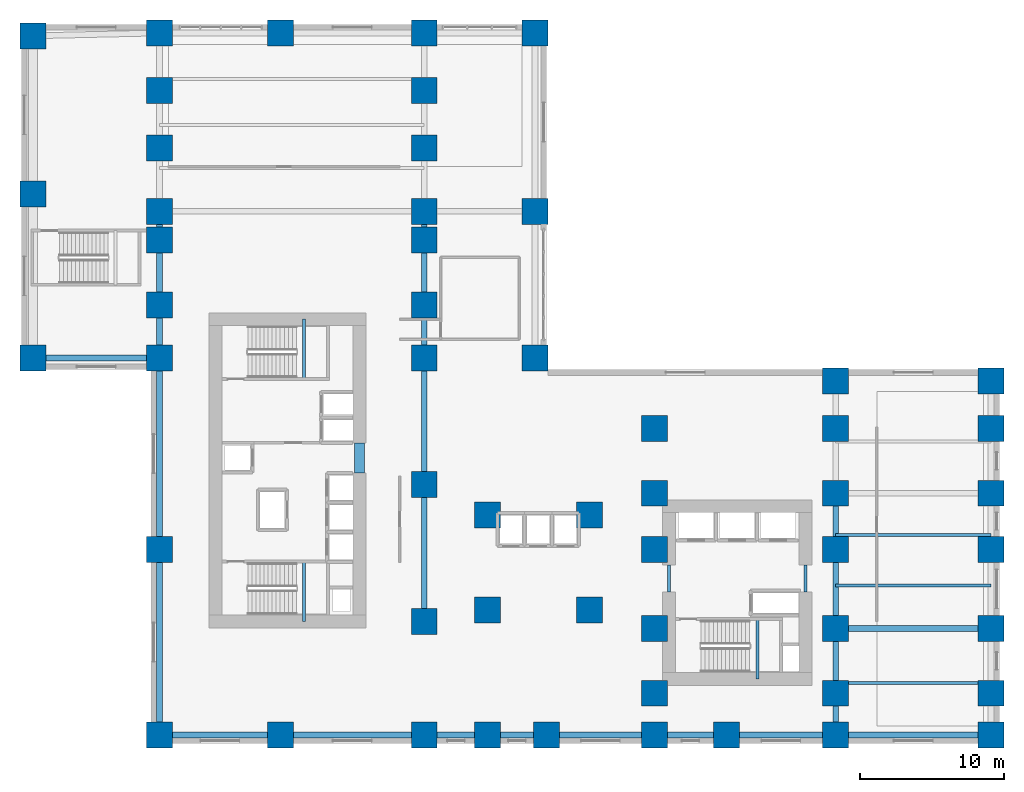
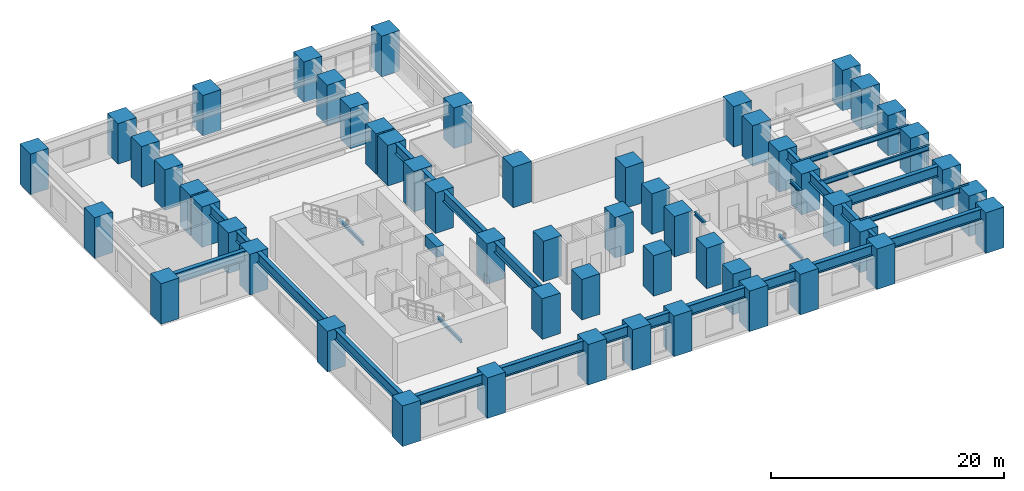
# One storey, part 1 of 13: 54 columns, 26 beams.
"""IFC4 building model written with IfcOpenShell, lengths in metres."""

from ifc_helpers import new_model, si_unit, direction, frame, origin, origin_2d, place, context, subcontext, project, spatial, rectangle, i_section, extrude, source, transform, mapped, material, material_profile, profile_set, type_object, element, save


model = new_model("IFC4")

# Units and contexts
model_context = context("Model", 3, precision=1e-05, world=origin(), true_north=direction((0.0, 1.0)))
body_context = subcontext(model_context, "Body", "Model", "MODEL_VIEW")
ifc_project = project(units=[si_unit("LENGTHUNIT", "METRE"), si_unit("AREAUNIT", "SQUARE_METRE"), si_unit("VOLUMEUNIT", "CUBIC_METRE"), si_unit("PLANEANGLEUNIT", "RADIAN"), si_unit("MASSUNIT", "GRAM", prefix="KILO")], contexts=[model_context])

# Site, building, storey
site_placement = place(None, origin())
site = spatial("IfcSite", under=ifc_project, at=site_placement, CompositionType="ELEMENT")
building_placement = place(site_placement, origin())
building = spatial("IfcBuilding", under=site, at=building_placement, Name="Kharzan Plaza Tower", CompositionType="ELEMENT")
storey_placement = place(building_placement, frame((0.0, 0.0, 4.5)))
storey = spatial("IfcBuildingStorey", under=building, at=storey_placement, Name="L01", CompositionType="ELEMENT", Elevation=4.5)

# Columns
ifc_material_1 = material(Name="Concrete C60/75", Category="concrete")
ifc_material_profile_1 = material_profile(ifc_material_1, rectangle(XDim=1.800048828125, YDim=1.800048828125, at=origin_2d()), Name="RC-MC1800x1800")
ifc_profile_set_1 = profile_set([ifc_material_profile_1], Name="Concrete C60/75")
column_type = type_object("IfcColumnType", Name="COL-MC1800", PredefinedType="COLUMN", material=ifc_profile_set_1)
shared_shape_1 = source(origin(), body_context, "Body", "SweptSolid", [
    extrude(rectangle(XDim=1.800048828125, YDim=1.800048828125, at=origin_2d()), origin(), (0.0, 0.0, 1.0), 4.25),
])
for number, where, z_axis, x_axis, name in (
    (1, (-8.199951171875, 26.800048828125, 0.0), (0.0, 0.0, 1.0), (1.0, 0.0, 0.0), "L01 Podium Mega-Column MC01"),
    (2, (-8.199951171875, 38.199951171875, 0.0), (0.0, 0.0, 1.0), (1.0, 0.0, 0.0), "L01 Podium Mega-Column MC02"),
    (3, (-8.199951171875, 49.199951171875, 0.0), (0.0, 0.0, 1.0), (1.0, 0.0, 0.0), "L01 Podium Mega-Column MC03"),
    (4, (0.60009765625, 0.60009765625, 0.0), (0.0, 0.0, 1.0), (1.0, 0.0, 0.0), "L01 Podium Mega-Column MC04"),
    (5, (0.60009765625, 13.5, 0.0), (0.0, 0.0, 1.0), (1.0, 0.0, 0.0), "L01 Podium Mega-Column MC05"),
    (6, (0.60009765625, 26.800048828125, 0.0), (0.0, 0.0, 1.0), (1.0, 0.0, 0.0), "L01 Podium Mega-Column MC06"),
    (7, (0.60009765625, 30.5, 0.0), (0.0, 0.0, 1.0), (1.0, 0.0, 0.0), "L01 Podium Mega-Column MC07"),
    (8, (0.60009765625, 35.0, 0.0), (0.0, 0.0, 1.0), (1.0, 0.0, 0.0), "L01 Podium Mega-Column MC08"),
    (9, (0.60009765625, 37.0, 0.0), (0.0, 0.0, 1.0), (1.0, 0.0, 0.0), "L01 Podium Mega-Column MC09"),
    (10, (0.60009765625, 41.39990234375, 0.0), (0.0, 0.0, 1.0), (1.0, 0.0, 0.0), "L01 Podium Mega-Column MC10"),
    (11, (0.60009765625, 45.39990234375, 0.0), (0.0, 0.0, 1.0), (1.0, 0.0, 0.0), "L01 Podium Mega-Column MC11"),
    (12, (0.60009765625, 49.39990234375, 0.0), (0.0, 0.0, 1.0), (1.0, 0.0, 0.0), "L01 Podium Mega-Column MC12"),
    (13, (9.0, 0.60009765625, 0.0), (0.0, 0.0, 1.0), (1.0, 0.0, 0.0), "L01 Podium Mega-Column MC13"),
    (14, (19.0, 0.60009765625, 0.0), (0.0, 0.0, 1.0), (1.0, 0.0, 0.0), "L01 Podium Mega-Column MC14"),
    (15, (27.5, 0.60009765625, 0.0), (0.0, 0.0, 1.0), (1.0, 0.0, 0.0), "L01 Podium Mega-Column MC15"),
    (16, (35.0, 0.60009765625, 0.0), (0.0, 0.0, 1.0), (1.0, 0.0, 0.0), "L01 Podium Mega-Column MC16"),
    (17, (40.0, 0.60009765625, 0.0), (0.0, 0.0, 1.0), (1.0, 0.0, 0.0), "L01 Podium Mega-Column MC17"),
    (18, (47.60009765625, 0.60009765625, 0.0), (0.0, 0.0, 1.0), (1.0, 0.0, 0.0), "L01 Podium Mega-Column MC18"),
    (19, (58.39990234375, 0.60009765625, 0.0), (0.0, 0.0, 1.0), (1.0, 0.0, 0.0), "L01 Podium Mega-Column MC19"),
    (20, (9.0, 49.39990234375, 0.0), (0.0, 0.0, 1.0), (1.0, 0.0, 0.0), "L01 Podium Mega-Column MC20"),
    (21, (19.0, 49.39990234375, 0.0), (0.0, 0.0, 1.0), (1.0, 0.0, 0.0), "L01 Podium Mega-Column MC21"),
    (22, (26.699951171875, 49.39990234375, 0.0), (0.0, 0.0, 1.0), (1.0, 0.0, 0.0), "L01 Podium Mega-Column MC22"),
    (23, (26.699951171875, 26.800048828125, 0.0), (0.0, 0.0, 1.0), (1.0, 0.0, 0.0), "L01 Podium Mega-Column MC23"),
    (24, (26.699951171875, 37.0, 0.0), (0.0, 0.0, 1.0), (1.0, 0.0, 0.0), "L01 Podium Mega-Column MC24"),
    (25, (58.39990234375, 3.5, 0.0), (0.0, 0.0, 1.0), (1.0, 0.0, 0.0), "L01 Podium Mega-Column MC25"),
    (26, (58.39990234375, 8.0, 0.0), (0.0, 0.0, 1.0), (1.0, 0.0, 0.0), "L01 Podium Mega-Column MC26"),
    (27, (58.39990234375, 13.5, 0.0), (0.0, 0.0, 1.0), (1.0, 0.0, 0.0), "L01 Podium Mega-Column MC27"),
    (28, (58.39990234375, 17.39990234375, 0.0), (0.0, 0.0, 1.0), (1.0, 0.0, 0.0), "L01 Podium Mega-Column MC28"),
    (29, (58.39990234375, 21.89990234375, 0.0), (0.0, 0.0, 1.0), (1.0, 0.0, 0.0), "L01 Podium Mega-Column MC29"),
    (30, (58.39990234375, 25.199951171875, 0.0), (0.0, 0.0, 1.0), (1.0, 0.0, 0.0), "L01 Podium Mega-Column MC30"),
    (31, (47.60009765625, 3.5, 0.0), (0.0, 0.0, 1.0), (1.0, 0.0, 0.0), "L01 Podium Mega-Column MC31"),
    (32, (47.60009765625, 8.0, 0.0), (0.0, 0.0, 1.0), (1.0, 0.0, 0.0), "L01 Podium Mega-Column MC32"),
    (33, (47.60009765625, 13.5, 0.0), (0.0, 0.0, 1.0), (1.0, 0.0, 0.0), "L01 Podium Mega-Column MC33"),
    (34, (47.60009765625, 17.39990234375, 0.0), (0.0, 0.0, 1.0), (1.0, 0.0, 0.0), "L01 Podium Mega-Column MC34"),
    (35, (47.60009765625, 21.89990234375, 0.0), (0.0, 0.0, 1.0), (1.0, 0.0, 0.0), "L01 Podium Mega-Column MC35"),
    (36, (47.60009765625, 25.199951171875, 0.0), (0.0, 0.0, 1.0), (1.0, 0.0, 0.0), "L01 Podium Mega-Column MC36"),
    (37, (19.0, 8.5, 0.0), (0.0, 0.0, 1.0), (1.0, 0.0, 0.0), "L01 Podium Mega-Column MC37"),
    (38, (19.0, 18.0, 0.0), (0.0, 0.0, 1.0), (1.0, 0.0, 0.0), "L01 Podium Mega-Column MC38"),
    (39, (19.0, 26.800048828125, 0.0), (0.0, 0.0, 1.0), (1.0, 0.0, 0.0), "L01 Podium Mega-Column MC39"),
    (40, (19.0, 30.5, 0.0), (0.0, 0.0, 1.0), (1.0, 0.0, 0.0), "L01 Podium Mega-Column MC40"),
    (41, (19.0, 35.0, 0.0), (0.0, 0.0, 1.0), (1.0, 0.0, 0.0), "L01 Podium Mega-Column MC41"),
    (42, (19.0, 37.0, 0.0), (0.0, 0.0, 1.0), (1.0, 0.0, 0.0), "L01 Podium Mega-Column MC42"),
    (43, (19.0, 41.39990234375, 0.0), (0.0, 0.0, 1.0), (1.0, 0.0, 0.0), "L01 Podium Mega-Column MC43"),
    (44, (19.0, 45.39990234375, 0.0), (0.0, 0.0, 1.0), (1.0, 0.0, 0.0), "L01 Podium Mega-Column MC44"),
    (45, (35.0, 3.5, 0.0), (0.0, 0.0, 1.0), (1.0, 0.0, 0.0), "L01 Podium Mega-Column MC45"),
    (46, (35.0, 8.0, 0.0), (0.0, 0.0, 1.0), (1.0, 0.0, 0.0), "L01 Podium Mega-Column MC46"),
    (47, (35.0, 13.5, 0.0), (0.0, 0.0, 1.0), (1.0, 0.0, 0.0), "L01 Podium Mega-Column MC47"),
    (48, (35.0, 17.39990234375, 0.0), (0.0, 0.0, 1.0), (1.0, 0.0, 0.0), "L01 Podium Mega-Column MC48"),
    (49, (35.0, 21.89990234375, 0.0), (0.0, 0.0, 1.0), (1.0, 0.0, 0.0), "L01 Podium Mega-Column MC49"),
    (50, (23.39990234375, 0.60009765625, 0.0), (0.0, 0.0, 1.0), (1.0, 0.0, 0.0), "L01 Podium Mega-Column MC50"),
    (51, (23.39990234375, 9.300048828125, 0.0), (0.0, 0.0, 1.0), (1.0, 0.0, 0.0), "L01 Podium Mega-Column MC51"),
    (52, (30.5, 9.300048828125, 0.0), (0.0, 0.0, 1.0), (1.0, 0.0, 0.0), "L01 Podium Mega-Column MC52"),
    (53, (23.39990234375, 15.89990234375, 0.0), (0.0, 0.0, 1.0), (1.0, 0.0, 0.0), "L01 Podium Mega-Column MC53"),
    (54, (30.5, 15.89990234375, 0.0), (0.0, 0.0, 1.0), (1.0, 0.0, 0.0), "L01 Podium Mega-Column MC54"),
):
    element("IfcColumn", number, at=place(storey_placement, frame(where, z_axis=z_axis, x_axis=x_axis)), inside=storey, type_object=column_type, Name=name, PredefinedType="COLUMN", context=body_context, shape_type="MappedRepresentation", body=[
        mapped(shared_shape_1, transform((0.0, 0.0, 0.0), x_axis=(1.0, 0.0, 0.0), y_axis=(0.0, 1.0, 0.0), z_axis=(0.0, 0.0, 1.0))),
    ])

# Beams
ifc_material_profile_2 = material_profile(ifc_material_1, rectangle(XDim=0.699951171875, YDim=1.10009765625, at=origin_2d()), Name="RC-CB1100x700")
ifc_profile_set_2 = profile_set([ifc_material_profile_2], Name="Concrete C60/75")
beam_type_1 = type_object("IfcBeamType", Name="BM-RCCB1100", PredefinedType="LINTEL", material=ifc_profile_set_2)
shared_shape_2 = source(origin(), body_context, "Body", "SweptSolid", [
    extrude(rectangle(XDim=0.699951171875, YDim=1.10009765625, at=origin_2d()), origin(), (0.0, 0.0, 1.0), 2.059814453125),
])
beam_1_placement = place(storey_placement, frame((14.5, 18.820068359375, 3.699951171875), z_axis=(0.0, 1.0, 0.0), x_axis=(-1.0, 0.0, 0.0)))
element("IfcBeam", 55, at=beam_1_placement, inside=storey, type_object=beam_type_1, Name="L01 CORE-A RC coupling beam CB1", PredefinedType="LINTEL", context=body_context, shape_type="MappedRepresentation", body=[
    mapped(shared_shape_2, transform((0.0, 0.0, 0.0), x_axis=(1.0, 0.0, 0.0), y_axis=(0.0, 1.0, 0.0), z_axis=(0.0, 0.0, 1.0))),
])
ifc_material_2 = material(Name="Steel S355", Category="steel")
ifc_material_profile_3 = material_profile(ifc_material_2, i_section(OverallWidth=0.205078125, OverallDepth=0.35400390625, WebThickness=0.009521484375, FlangeThickness=0.016845703125, at=origin_2d()), Name="W360x79")
ifc_profile_set_3 = profile_set([ifc_material_profile_3], Name="Steel S355")
beam_type_2 = type_object("IfcBeamType", Name="BM-LNT360", PredefinedType="LINTEL", material=ifc_profile_set_3)
shared_shape_3 = source(origin(), body_context, "Body", "SweptSolid", [
    extrude(i_section(OverallWidth=0.205078125, OverallDepth=0.35400390625, WebThickness=0.009521484375, FlangeThickness=0.016845703125, at=origin_2d()), origin(), (0.0, 0.0, 1.0), 1.849853515625),
])
for number, where, z_axis, x_axis, name in (
    (56, (45.5, 10.550048828125, 4.072998046875), (0.0, 1.0, 0.0), (-1.0, 0.0, 0.0), "L01 CORE-B coupling lintel LN1-WE"),
    (57, (36.0, 10.550048828125, 4.072998046875), (0.0, 1.0, 0.0), (-1.0, 0.0, 0.0), "L01 CORE-B coupling lintel LN1-WW"),
):
    element("IfcBeam", number, at=place(storey_placement, frame(where, z_axis=z_axis, x_axis=x_axis)), inside=storey, type_object=beam_type_2, Name=name, PredefinedType="LINTEL", context=body_context, shape_type="MappedRepresentation", body=[
        mapped(shared_shape_3, transform((0.0, 0.0, 0.0), x_axis=(1.0, 0.0, 0.0), y_axis=(0.0, 1.0, 0.0), z_axis=(0.0, 0.0, 1.0))),
    ])
shared_shape_4 = source(origin(), body_context, "Body", "SweptSolid", [
    extrude(i_section(OverallWidth=0.205078125, OverallDepth=0.35400390625, WebThickness=0.009521484375, FlangeThickness=0.016845703125, at=origin_2d()), origin(), (0.0, 0.0, 1.0), 4.155029296875),
])
for number, where, z_axis, x_axis, name in (
    (58, (10.64990234375, 8.5, 1.873046875), (0.0, 1.0, 0.0), (-1.0, 0.0, 0.0), "L01 Stair ST-1 Half-Landing Beam"),
    (59, (10.64990234375, 25.344970703125, 1.873046875), (0.0, 1.0, 0.0), (-1.0, 0.0, 0.0), "L01 Stair ST-2 Half-Landing Beam"),
    (60, (42.14990234375, 4.5, 1.873046875), (0.0, 1.0, 0.0), (-1.0, 0.0, 0.0), "L01 Stair ST-3 Half-Landing Beam"),
):
    element("IfcBeam", number, at=place(storey_placement, frame(where, z_axis=z_axis, x_axis=x_axis)), inside=storey, type_object=beam_type_2, Name=name, PredefinedType="LINTEL", context=body_context, shape_type="MappedRepresentation", body=[
        mapped(shared_shape_4, transform((0.0, 0.0, 0.0), x_axis=(1.0, 0.0, 0.0), y_axis=(0.0, 1.0, 0.0), z_axis=(0.0, 0.0, 1.0))),
    ])
ifc_material_profile_4 = material_profile(ifc_material_2, i_section(OverallWidth=0.214111328125, OverallDepth=0.549072265625, WebThickness=0.0146484375, FlangeThickness=0.023681640625, at=origin_2d()), Name="W530x138")
ifc_profile_set_4 = profile_set([ifc_material_profile_4], Name="Steel S355")
beam_type_3 = type_object("IfcBeamType", Name="BM-JST530A", PredefinedType="JOIST", material=ifc_profile_set_4)
shared_shape_5 = source(origin(), body_context, "Body", "SweptSolid", [
    extrude(i_section(OverallWidth=0.214111328125, OverallDepth=0.549072265625, WebThickness=0.0146484375, FlangeThickness=0.023681640625, at=origin_2d()), origin(), (0.0, 0.0, 1.0), 10.7998046875),
])
for number, where, z_axis, x_axis, name in (
    (61, (47.60009765625, 4.199951171875, 3.9755859375), (1.0, 0.0, 0.0), (0.0, 1.0, 0.0), "L01 East Podium Joist PJ-B1"),
    (62, (47.60009765625, 11.0, 3.9755859375), (1.0, 0.0, 0.0), (0.0, 1.0, 0.0), "L01 East Podium Joist PJ-B2"),
    (63, (47.60009765625, 14.5, 3.9755859375), (1.0, 0.0, 0.0), (0.0, 1.0, 0.0), "L01 East Podium Joist PJ-B3"),
):
    element("IfcBeam", number, at=place(storey_placement, frame(where, z_axis=z_axis, x_axis=x_axis)), inside=storey, type_object=beam_type_3, Name=name, PredefinedType="JOIST", context=body_context, shape_type="MappedRepresentation", body=[
        mapped(shared_shape_5, transform((0.0, 0.0, 0.0), x_axis=(1.0, 0.0, 0.0), y_axis=(0.0, 1.0, 0.0), z_axis=(0.0, 0.0, 1.0))),
    ])
ifc_material_profile_5 = material_profile(ifc_material_2, i_section(OverallWidth=0.39990234375, OverallDepth=1.10009765625, WebThickness=0.02001953125, FlangeThickness=0.035888671875, at=origin_2d()), Name="W1100x390")
ifc_profile_set_5 = profile_set([ifc_material_profile_5], Name="Steel S355")
beam_type_4 = type_object("IfcBeamType", Name="BM-PG1100B", PredefinedType="BEAM", material=ifc_profile_set_5)
shared_shape_6 = source(origin(), body_context, "Body", "SweptSolid", [
    extrude(i_section(OverallWidth=0.39990234375, OverallDepth=1.10009765625, WebThickness=0.02001953125, FlangeThickness=0.035888671875, at=origin_2d()), origin(), (0.0, 0.0, 1.0), 10.0),
])
beam_2_placement = place(storey_placement, frame((9.0, 0.60009765625, 3.699951171875), z_axis=(1.0, 0.0, 0.0), x_axis=(0.0, 1.0, 0.0)))
element("IfcBeam", 64, at=beam_2_placement, inside=storey, type_object=beam_type_4, Name="L01 Podium Primary Girder PG-3", PredefinedType="BEAM", context=body_context, shape_type="MappedRepresentation", body=[
    mapped(shared_shape_6, transform((0.0, 0.0, 0.0), x_axis=(1.0, 0.0, 0.0), y_axis=(0.0, 1.0, 0.0), z_axis=(0.0, 0.0, 1.0))),
])
shared_shape_7 = source(origin(), body_context, "Body", "SweptSolid", [
    extrude(i_section(OverallWidth=0.39990234375, OverallDepth=1.10009765625, WebThickness=0.02001953125, FlangeThickness=0.035888671875, at=origin_2d()), origin(), (0.0, 0.0, 1.0), 12.89990234375),
])
beam_3_placement = place(storey_placement, frame((0.60009765625, 0.60009765625, 3.699951171875), z_axis=(0.0, 1.0, 0.0), x_axis=(-1.0, 0.0, 0.0)))
element("IfcBeam", 65, at=beam_3_placement, inside=storey, type_object=beam_type_4, Name="L01 Podium Primary Girder PG-14", PredefinedType="BEAM", context=body_context, shape_type="MappedRepresentation", body=[
    mapped(shared_shape_7, transform((0.0, 0.0, 0.0), x_axis=(1.0, 0.0, 0.0), y_axis=(0.0, 1.0, 0.0), z_axis=(0.0, 0.0, 1.0))),
])
shared_shape_8 = source(origin(), body_context, "Body", "SweptSolid", [
    extrude(i_section(OverallWidth=0.39990234375, OverallDepth=1.10009765625, WebThickness=0.02001953125, FlangeThickness=0.035888671875, at=origin_2d()), origin(), (0.0, 0.0, 1.0), 13.300048828125),
])
beam_4_placement = place(storey_placement, frame((0.60009765625, 13.5, 3.699951171875), z_axis=(0.0, 1.0, 0.0), x_axis=(-1.0, 0.0, 0.0)))
element("IfcBeam", 66, at=beam_4_placement, inside=storey, type_object=beam_type_4, Name="L01 Podium Primary Girder PG-15", PredefinedType="BEAM", context=body_context, shape_type="MappedRepresentation", body=[
    mapped(shared_shape_8, transform((0.0, 0.0, 0.0), x_axis=(1.0, 0.0, 0.0), y_axis=(0.0, 1.0, 0.0), z_axis=(0.0, 0.0, 1.0))),
])
shared_shape_9 = source(origin(), body_context, "Body", "SweptSolid", [
    extrude(i_section(OverallWidth=0.39990234375, OverallDepth=1.10009765625, WebThickness=0.02001953125, FlangeThickness=0.035888671875, at=origin_2d()), origin(), (0.0, 0.0, 1.0), 10.199951171875),
])
for number, where, z_axis, x_axis, name in (
    (67, (0.60009765625, 26.800048828125, 3.699951171875), (0.0, 1.0, 0.0), (-1.0, 0.0, 0.0), "L01 Podium Primary Girder PG-16"),
    (68, (19.0, 26.800048828125, 3.699951171875), (0.0, 1.0, 0.0), (-1.0, 0.0, 0.0), "L01 Podium Primary Girder PG-20"),
):
    element("IfcBeam", number, at=place(storey_placement, frame(where, z_axis=z_axis, x_axis=x_axis)), inside=storey, type_object=beam_type_4, Name=name, PredefinedType="BEAM", context=body_context, shape_type="MappedRepresentation", body=[
        mapped(shared_shape_9, transform((0.0, 0.0, 0.0), x_axis=(1.0, 0.0, 0.0), y_axis=(0.0, 1.0, 0.0), z_axis=(0.0, 0.0, 1.0))),
    ])
shared_shape_10 = source(origin(), body_context, "Body", "SweptSolid", [
    extrude(i_section(OverallWidth=0.39990234375, OverallDepth=1.10009765625, WebThickness=0.02001953125, FlangeThickness=0.035888671875, at=origin_2d()), origin(), (0.0, 0.0, 1.0), 9.5),
])
beam_5_placement = place(storey_placement, frame((19.0, 8.5, 3.699951171875), z_axis=(0.0, 1.0, 0.0), x_axis=(-1.0, 0.0, 0.0)))
element("IfcBeam", 69, at=beam_5_placement, inside=storey, type_object=beam_type_4, Name="L01 Podium Primary Girder PG-18", PredefinedType="BEAM", context=body_context, shape_type="MappedRepresentation", body=[
    mapped(shared_shape_10, transform((0.0, 0.0, 0.0), x_axis=(1.0, 0.0, 0.0), y_axis=(0.0, 1.0, 0.0), z_axis=(0.0, 0.0, 1.0))),
])
shared_shape_11 = source(origin(), body_context, "Body", "SweptSolid", [
    extrude(i_section(OverallWidth=0.39990234375, OverallDepth=1.10009765625, WebThickness=0.02001953125, FlangeThickness=0.035888671875, at=origin_2d()), origin(), (0.0, 0.0, 1.0), 8.800048828125),
])
for number, where, z_axis, x_axis, name in (
    (70, (19.0, 18.0, 3.699951171875), (0.0, 1.0, 0.0), (-1.0, 0.0, 0.0), "L01 Podium Primary Girder PG-19"),
    (71, (-8.199951171875, 26.800048828125, 3.699951171875), (1.0, 0.0, 0.0), (0.0, 1.0, 0.0), "L01 Podium Primary Girder PG-8S"),
):
    element("IfcBeam", number, at=place(storey_placement, frame(where, z_axis=z_axis, x_axis=x_axis)), inside=storey, type_object=beam_type_4, Name=name, PredefinedType="BEAM", context=body_context, shape_type="MappedRepresentation", body=[
        mapped(shared_shape_11, transform((0.0, 0.0, 0.0), x_axis=(1.0, 0.0, 0.0), y_axis=(0.0, 1.0, 0.0), z_axis=(0.0, 0.0, 1.0))),
    ])
shared_shape_12 = source(origin(), body_context, "Body", "SweptSolid", [
    extrude(i_section(OverallWidth=0.39990234375, OverallDepth=1.10009765625, WebThickness=0.02001953125, FlangeThickness=0.035888671875, at=origin_2d()), origin(), (0.0, 0.0, 1.0), 8.39990234375),
])
beam_6_placement = place(storey_placement, frame((0.60009765625, 0.60009765625, 3.699951171875), z_axis=(1.0, 0.0, 0.0), x_axis=(0.0, 1.0, 0.0)))
element("IfcBeam", 72, at=beam_6_placement, inside=storey, type_object=beam_type_4, Name="L01 Podium Primary Girder PG-2", PredefinedType="BEAM", context=body_context, shape_type="MappedRepresentation", body=[
    mapped(shared_shape_12, transform((0.0, 0.0, 0.0), x_axis=(1.0, 0.0, 0.0), y_axis=(0.0, 1.0, 0.0), z_axis=(0.0, 0.0, 1.0))),
])
shared_shape_13 = source(origin(), body_context, "Body", "SweptSolid", [
    extrude(i_section(OverallWidth=0.39990234375, OverallDepth=1.10009765625, WebThickness=0.02001953125, FlangeThickness=0.035888671875, at=origin_2d()), origin(), (0.0, 0.0, 1.0), 7.39990234375),
])
beam_7_placement = place(storey_placement, frame((47.60009765625, 0.60009765625, 3.699951171875), z_axis=(0.0, 1.0, 0.0), x_axis=(-1.0, 0.0, 0.0)))
element("IfcBeam", 73, at=beam_7_placement, inside=storey, type_object=beam_type_4, Name="L01 Podium Primary Girder PG-22", PredefinedType="BEAM", context=body_context, shape_type="MappedRepresentation", body=[
    mapped(shared_shape_13, transform((0.0, 0.0, 0.0), x_axis=(1.0, 0.0, 0.0), y_axis=(0.0, 1.0, 0.0), z_axis=(0.0, 0.0, 1.0))),
])
shared_shape_14 = source(origin(), body_context, "Body", "SweptSolid", [
    extrude(i_section(OverallWidth=0.39990234375, OverallDepth=1.10009765625, WebThickness=0.02001953125, FlangeThickness=0.035888671875, at=origin_2d()), origin(), (0.0, 0.0, 1.0), 9.39990234375),
])
beam_8_placement = place(storey_placement, frame((47.60009765625, 8.0, 3.699951171875), z_axis=(0.0, 1.0, 0.0), x_axis=(-1.0, 0.0, 0.0)))
element("IfcBeam", 74, at=beam_8_placement, inside=storey, type_object=beam_type_4, Name="L01 Podium Primary Girder PG-23", PredefinedType="BEAM", context=body_context, shape_type="MappedRepresentation", body=[
    mapped(shared_shape_14, transform((0.0, 0.0, 0.0), x_axis=(1.0, 0.0, 0.0), y_axis=(0.0, 1.0, 0.0), z_axis=(0.0, 0.0, 1.0))),
])
shared_shape_15 = source(origin(), body_context, "Body", "SweptSolid", [
    extrude(i_section(OverallWidth=0.39990234375, OverallDepth=1.10009765625, WebThickness=0.02001953125, FlangeThickness=0.035888671875, at=origin_2d()), origin(), (0.0, 0.0, 1.0), 10.7998046875),
])
for number, where, z_axis, x_axis, name in (
    (75, (47.60009765625, 8.0, 3.699951171875), (1.0, 0.0, 0.0), (0.0, 1.0, 0.0), "L01 Podium Primary Girder PG-28"),
    (76, (47.60009765625, 0.60009765625, 3.699951171875), (1.0, 0.0, 0.0), (0.0, 1.0, 0.0), "L01 Podium Primary Girder PG-7"),
):
    element("IfcBeam", number, at=place(storey_placement, frame(where, z_axis=z_axis, x_axis=x_axis)), inside=storey, type_object=beam_type_4, Name=name, PredefinedType="BEAM", context=body_context, shape_type="MappedRepresentation", body=[
        mapped(shared_shape_15, transform((0.0, 0.0, 0.0), x_axis=(1.0, 0.0, 0.0), y_axis=(0.0, 1.0, 0.0), z_axis=(0.0, 0.0, 1.0))),
    ])
shared_shape_16 = source(origin(), body_context, "Body", "SweptSolid", [
    extrude(i_section(OverallWidth=0.39990234375, OverallDepth=1.10009765625, WebThickness=0.02001953125, FlangeThickness=0.035888671875, at=origin_2d()), origin(), (0.0, 0.0, 1.0), 8.5),
])
beam_9_placement = place(storey_placement, frame((19.0, 0.60009765625, 3.699951171875), z_axis=(1.0, 0.0, 0.0), x_axis=(0.0, 1.0, 0.0)))
element("IfcBeam", 77, at=beam_9_placement, inside=storey, type_object=beam_type_4, Name="L01 Podium Primary Girder PG-4", PredefinedType="BEAM", context=body_context, shape_type="MappedRepresentation", body=[
    mapped(shared_shape_16, transform((0.0, 0.0, 0.0), x_axis=(1.0, 0.0, 0.0), y_axis=(0.0, 1.0, 0.0), z_axis=(0.0, 0.0, 1.0))),
])
shared_shape_17 = source(origin(), body_context, "Body", "SweptSolid", [
    extrude(i_section(OverallWidth=0.39990234375, OverallDepth=1.10009765625, WebThickness=0.02001953125, FlangeThickness=0.035888671875, at=origin_2d()), origin(), (0.0, 0.0, 1.0), 7.5),
])
beam_10_placement = place(storey_placement, frame((27.5, 0.60009765625, 3.699951171875), z_axis=(1.0, 0.0, 0.0), x_axis=(0.0, 1.0, 0.0)))
element("IfcBeam", 78, at=beam_10_placement, inside=storey, type_object=beam_type_4, Name="L01 Podium Primary Girder PG-5", PredefinedType="BEAM", context=body_context, shape_type="MappedRepresentation", body=[
    mapped(shared_shape_17, transform((0.0, 0.0, 0.0), x_axis=(1.0, 0.0, 0.0), y_axis=(0.0, 1.0, 0.0), z_axis=(0.0, 0.0, 1.0))),
])
shared_shape_18 = source(origin(), body_context, "Body", "SweptSolid", [
    extrude(i_section(OverallWidth=0.39990234375, OverallDepth=1.10009765625, WebThickness=0.02001953125, FlangeThickness=0.035888671875, at=origin_2d()), origin(), (0.0, 0.0, 1.0), 5.0),
])
beam_11_placement = place(storey_placement, frame((35.0, 0.60009765625, 3.699951171875), z_axis=(1.0, 0.0, 0.0), x_axis=(0.0, 1.0, 0.0)))
element("IfcBeam", 79, at=beam_11_placement, inside=storey, type_object=beam_type_4, Name="L01 Podium Primary Girder PG-6A", PredefinedType="BEAM", context=body_context, shape_type="MappedRepresentation", body=[
    mapped(shared_shape_18, transform((0.0, 0.0, 0.0), x_axis=(1.0, 0.0, 0.0), y_axis=(0.0, 1.0, 0.0), z_axis=(0.0, 0.0, 1.0))),
])
shared_shape_19 = source(origin(), body_context, "Body", "SweptSolid", [
    extrude(i_section(OverallWidth=0.39990234375, OverallDepth=1.10009765625, WebThickness=0.02001953125, FlangeThickness=0.035888671875, at=origin_2d()), origin(), (0.0, 0.0, 1.0), 7.60009765625),
])
beam_12_placement = place(storey_placement, frame((40.0, 0.60009765625, 3.699951171875), z_axis=(1.0, 0.0, 0.0), x_axis=(0.0, 1.0, 0.0)))
element("IfcBeam", 80, at=beam_12_placement, inside=storey, type_object=beam_type_4, Name="L01 Podium Primary Girder PG-6B", PredefinedType="BEAM", context=body_context, shape_type="MappedRepresentation", body=[
    mapped(shared_shape_19, transform((0.0, 0.0, 0.0), x_axis=(1.0, 0.0, 0.0), y_axis=(0.0, 1.0, 0.0), z_axis=(0.0, 0.0, 1.0))),
])

save(model, "model.ifc")
